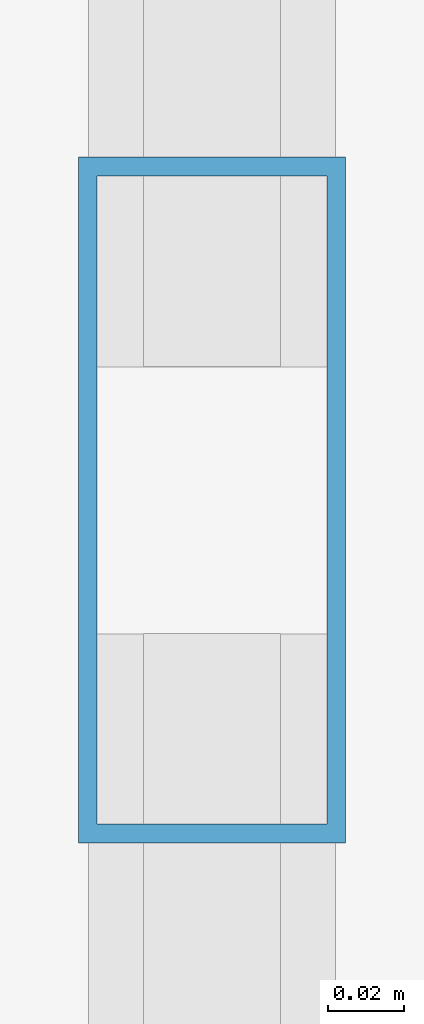
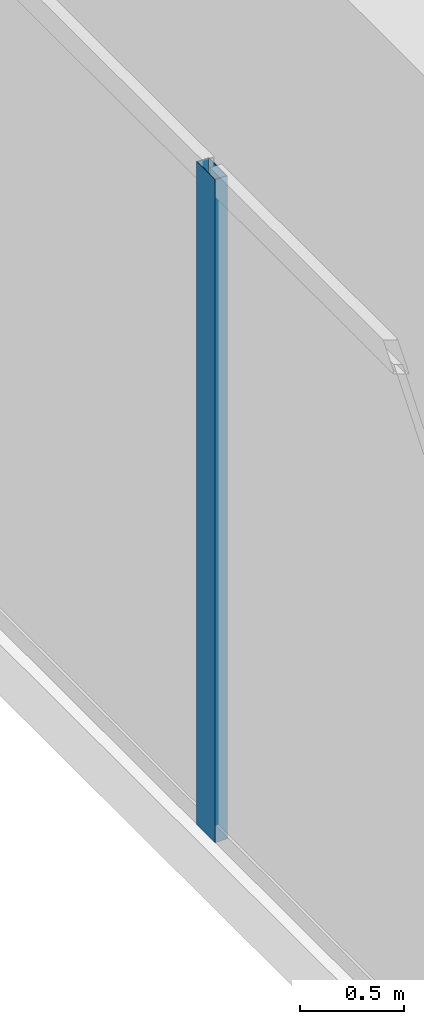
# One storey, part 8 of 31: 1 member, 1 element without a shape of its own.
"""IFC4 building model written with IfcOpenShell, lengths in metres."""

from ifc_helpers import new_model, si_unit, direction, frame, origin, origin_2d, place, context, subcontext, project, spatial, hollow_rectangle, extrude, source, transform, mapped, material, layer, layer_set, material_profile, profile_set, type_object, type_shapes, element, aggregate, save


model = new_model("IFC4")

# Units and contexts
model_context = context("Model", 3, precision=1e-05, world=origin(), true_north=direction((0.0, 1.0)))
body_context = subcontext(model_context, "Body", "Model", "MODEL_VIEW")
ifc_project = project(units=[si_unit("LENGTHUNIT", "METRE"), si_unit("AREAUNIT", "SQUARE_METRE"), si_unit("VOLUMEUNIT", "CUBIC_METRE"), si_unit("PLANEANGLEUNIT", "RADIAN"), si_unit("MASSUNIT", "GRAM", prefix="KILO")], contexts=[model_context])

# Site, building, storey
site_placement = place(None, origin())
site = spatial("IfcSite", under=ifc_project, at=site_placement, CompositionType="ELEMENT")
building_placement = place(site_placement, origin())
building = spatial("IfcBuilding", under=site, at=building_placement, Name="Haelvirn Gate Laboratories", CompositionType="ELEMENT")
storey_placement = place(building_placement, frame((0.0, 0.0, 310.199951171875)))
storey = spatial("IfcBuildingStorey", under=building, at=storey_placement, Name="L74", CompositionType="ELEMENT", Elevation=310.199951171875)

# Curtain wall, member
ifc_material_1 = material(Name="Anodised bronze unitised aluminium & triple low-E glass", Category="aluminium")
ifc_layer = layer(ifc_material_1, 0.176025390625, Name="CW-SYS-4")
ifc_layer_set = layer_set([ifc_layer], Name="Anodised bronze unitised aluminium & triple low-E glass")
curtain_wall_type = type_object("IfcCurtainWallType", Name="CW-SYS-4", PredefinedType="NOTDEFINED", material=ifc_layer_set)
curtain_wall_placement = place(storey_placement, origin())
curtain_wall = element("IfcCurtainWall", 1, at=curtain_wall_placement, inside=storey, type_object=curtain_wall_type, Name="L74 Unitised Curtain Wall CW-L74-P0-E17", PredefinedType="NOTDEFINED")
ifc_material_2 = material(Name="Extruded aluminium 6063-T6 (anodised bronze)", Category="aluminium")
ifc_material_profile = material_profile(ifc_material_2, hollow_rectangle(XDim=0.070068359375, YDim=0.179931640625, WallThickness=0.0048828125, at=origin_2d()), Name="CWM-180x70x5")
ifc_profile_set = profile_set([ifc_material_profile], Name="Extruded aluminium 6063-T6 (anodised bronze)")
member_type = type_object("IfcMemberType", Name="CWM-T180", PredefinedType="MULLION", material=ifc_profile_set)
shared_shape = source(origin(), body_context, "Body", "SweptSolid", [
    extrude(hollow_rectangle(XDim=0.070068359375, YDim=0.179931640625, WallThickness=0.0048828125, at=origin_2d()), origin(), (0.0, 0.0, 1.0), 3.900146484375),
])
type_shapes(member_type, [shared_shape])
member_placement = place(storey_placement, frame((5.89990234375, 24.300048828125, 0.0), z_axis=(0.0, 0.0, 1.0), x_axis=(1.0, 0.0, 0.0)))
member = element("IfcMember", 2, at=member_placement, type_object=member_type, Name="CW4 mullion 2", PredefinedType="MULLION", context=body_context, shape_type="MappedRepresentation", body=[
    mapped(shared_shape, transform((0.0, 0.0, 0.0), scale=1.0)),
])
aggregate(curtain_wall, [member])

save(model, "model.ifc")
